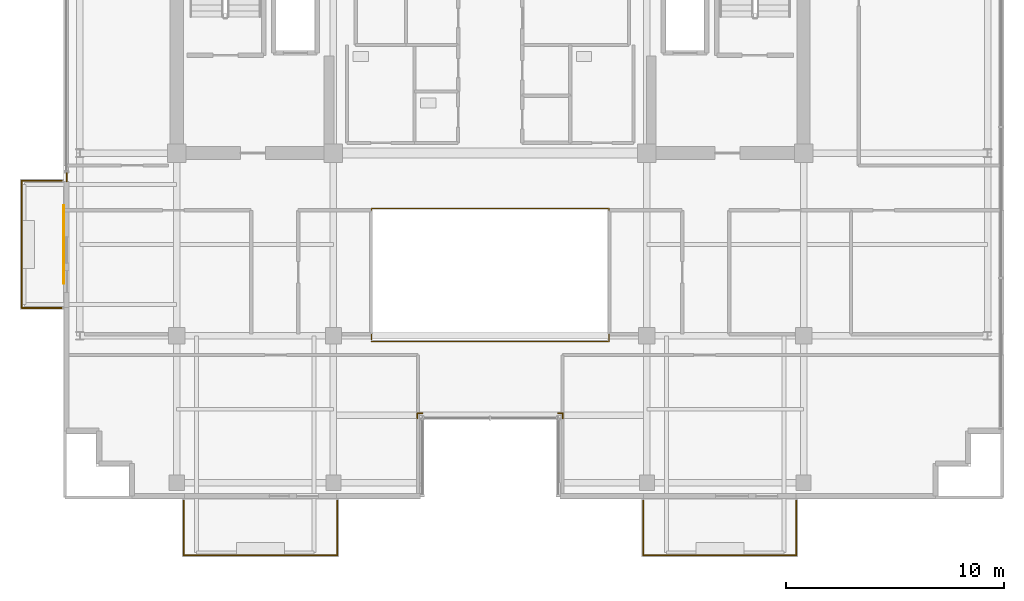
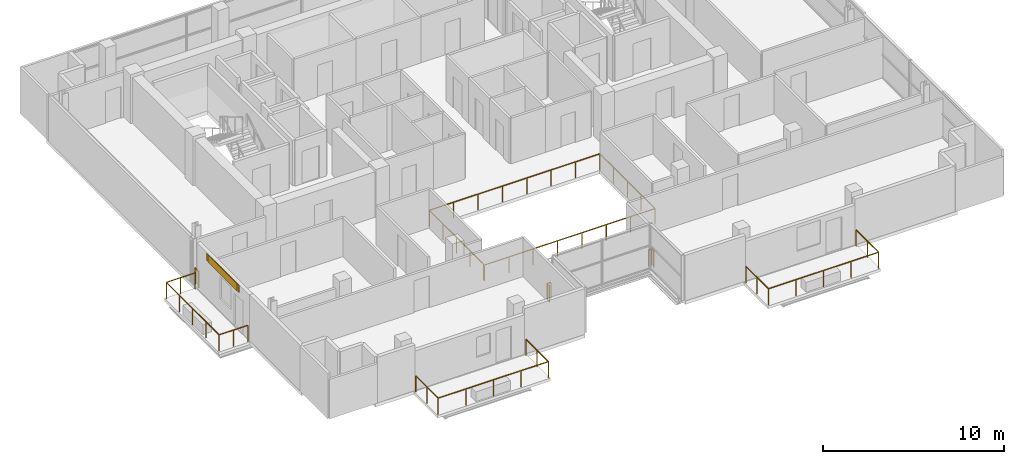
# One storey, part 19 of 21: 9 railings, 1 covering, 1 shading device.
"""IFC4 building model written with IfcOpenShell, lengths in metres."""

from ifc_helpers import new_model, si_unit, direction, frame, origin, origin_2d, place, context, subcontext, project, spatial, rectangle, extrude, source, transform, mapped, material, layer, layer_set, type_object, element, save


model = new_model("IFC4")

# Units and contexts
model_context = context("Model", 3, precision=1e-05, world=origin(), true_north=direction((0.0, 1.0)))
body_context = subcontext(model_context, "Body", "Model", "MODEL_VIEW")
ifc_project = project(units=[si_unit("LENGTHUNIT", "METRE"), si_unit("AREAUNIT", "SQUARE_METRE"), si_unit("VOLUMEUNIT", "CUBIC_METRE"), si_unit("PLANEANGLEUNIT", "RADIAN"), si_unit("MASSUNIT", "GRAM", prefix="KILO")], contexts=[model_context])

# Site, building, storey
site_placement = place(None, origin())
site = spatial("IfcSite", under=ifc_project, at=site_placement, CompositionType="ELEMENT")
building_placement = place(site_placement, origin())
building = spatial("IfcBuilding", under=site, at=building_placement, Name="Zarnakvel Exchange Tower", CompositionType="ELEMENT")
storey_placement = place(building_placement, frame((0.0, 0.0, 248.5)))
storey = spatial("IfcBuildingStorey", under=building, at=storey_placement, Name="L70", CompositionType="ELEMENT", Elevation=248.5)

# Railings
ifc_material_1 = material(Name="Architectural Bronze Anodised Aluminium", Category="aluminium")
railing_type_1 = type_object("IfcRailingType", Name="GR-02", PredefinedType="GUARDRAIL", material=ifc_material_1)
railing_1_placement = place(storey_placement, frame((-14.070068359375, -17.179931640625, -0.034912109375)))
element("IfcRailing", 1, at=railing_1_placement, inside=storey, type_object=railing_type_1, Name="L70 Balcony Guardrail BAL-L70-SW", PredefinedType="GUARDRAIL", context=body_context, shape_type="SweptSolid", body=[
    extrude(rectangle(XDim=0.048095703125, YDim=0.048095703125, at=origin_2d()), frame((0.0, 0.0, 1.09619140625), z_axis=(0.0, -1.0, 0.0), x_axis=(1.0, 0.0, 0.0)), (0.0, 0.0, 1.0), 2.489990234375),
    extrude(rectangle(XDim=0.048095703125, YDim=0.048095703125, at=origin_2d()), frame((0.0, -2.489990234375, 1.09619140625), z_axis=(1.0, 0.0, 0.0), x_axis=(0.0, 1.0, 0.0)), (0.0, 0.0, 1.0), 7.0400390625),
    extrude(rectangle(XDim=0.048095703125, YDim=0.048095703125, at=origin_2d()), frame((7.0400390625, -2.489990234375, 1.09619140625), z_axis=(0.0, 1.0, 0.0), x_axis=(-1.0, 0.0, 0.0)), (0.0, 0.0, 1.0), 2.489990234375),
    extrude(rectangle(XDim=0.0419921875, YDim=0.0419921875, at=origin_2d()), origin(), (0.0, 0.0, 1.0), 1.072021484375),
    extrude(rectangle(XDim=0.0419921875, YDim=0.0419921875, at=origin_2d()), frame((0.0, -1.2451171875, 0.0)), (0.0, 0.0, 1.0), 1.072021484375),
    extrude(rectangle(XDim=0.0419921875, YDim=0.0419921875, at=origin_2d()), frame((0.0, -2.489990234375, 0.0)), (0.0, 0.0, 1.0), 1.072021484375),
    extrude(rectangle(XDim=0.0419921875, YDim=0.0419921875, at=origin_2d()), frame((1.760009765625, -2.489990234375, 0.0)), (0.0, 0.0, 1.0), 1.072021484375),
    extrude(rectangle(XDim=0.0419921875, YDim=0.0419921875, at=origin_2d()), frame((3.52001953125, -2.489990234375, 0.0)), (0.0, 0.0, 1.0), 1.072021484375),
    extrude(rectangle(XDim=0.0419921875, YDim=0.0419921875, at=origin_2d()), frame((5.280029296875, -2.489990234375, 0.0)), (0.0, 0.0, 1.0), 1.072021484375),
    extrude(rectangle(XDim=0.0419921875, YDim=0.0419921875, at=origin_2d()), frame((7.0400390625, -2.489990234375, 0.0)), (0.0, 0.0, 1.0), 1.072021484375),
    extrude(rectangle(XDim=0.0419921875, YDim=0.0419921875, at=origin_2d()), frame((7.0400390625, -1.2451171875, 0.0)), (0.0, 0.0, 1.0), 1.072021484375),
    extrude(rectangle(XDim=0.0419921875, YDim=0.0419921875, at=origin_2d()), frame((7.0400390625, 0.0, 0.0)), (0.0, 0.0, 1.0), 1.072021484375),
])
railing_2_placement = place(storey_placement, frame((7.030029296875, -17.179931640625, -0.034912109375)))
element("IfcRailing", 2, at=railing_2_placement, inside=storey, type_object=railing_type_1, Name="L70 Balcony Guardrail BAL-L70-SE", PredefinedType="GUARDRAIL", context=body_context, shape_type="SweptSolid", body=[
    extrude(rectangle(XDim=0.048095703125, YDim=0.048095703125, at=origin_2d()), frame((0.0, 0.0, 1.09619140625), z_axis=(0.0, -1.0, 0.0), x_axis=(1.0, 0.0, 0.0)), (0.0, 0.0, 1.0), 2.489990234375),
    extrude(rectangle(XDim=0.048095703125, YDim=0.048095703125, at=origin_2d()), frame((0.0, -2.489990234375, 1.09619140625), z_axis=(1.0, 0.0, 0.0), x_axis=(0.0, 1.0, 0.0)), (0.0, 0.0, 1.0), 7.0400390625),
    extrude(rectangle(XDim=0.048095703125, YDim=0.048095703125, at=origin_2d()), frame((7.0400390625, -2.489990234375, 1.09619140625), z_axis=(0.0, 1.0, 0.0), x_axis=(-1.0, 0.0, 0.0)), (0.0, 0.0, 1.0), 2.489990234375),
    extrude(rectangle(XDim=0.0419921875, YDim=0.0419921875, at=origin_2d()), origin(), (0.0, 0.0, 1.0), 1.072021484375),
    extrude(rectangle(XDim=0.0419921875, YDim=0.0419921875, at=origin_2d()), frame((0.0, -1.2451171875, 0.0)), (0.0, 0.0, 1.0), 1.072021484375),
    extrude(rectangle(XDim=0.0419921875, YDim=0.0419921875, at=origin_2d()), frame((0.0, -2.489990234375, 0.0)), (0.0, 0.0, 1.0), 1.072021484375),
    extrude(rectangle(XDim=0.0419921875, YDim=0.0419921875, at=origin_2d()), frame((1.760009765625, -2.489990234375, 0.0)), (0.0, 0.0, 1.0), 1.072021484375),
    extrude(rectangle(XDim=0.0419921875, YDim=0.0419921875, at=origin_2d()), frame((3.52001953125, -2.489990234375, 0.0)), (0.0, 0.0, 1.0), 1.072021484375),
    extrude(rectangle(XDim=0.0419921875, YDim=0.0419921875, at=origin_2d()), frame((5.280029296875, -2.489990234375, 0.0)), (0.0, 0.0, 1.0), 1.072021484375),
    extrude(rectangle(XDim=0.0419921875, YDim=0.0419921875, at=origin_2d()), frame((7.0400390625, -2.489990234375, 0.0)), (0.0, 0.0, 1.0), 1.072021484375),
    extrude(rectangle(XDim=0.0419921875, YDim=0.0419921875, at=origin_2d()), frame((7.0400390625, -1.2451171875, 0.0)), (0.0, 0.0, 1.0), 1.072021484375),
    extrude(rectangle(XDim=0.0419921875, YDim=0.0419921875, at=origin_2d()), frame((7.0400390625, 0.0, 0.0)), (0.0, 0.0, 1.0), 1.072021484375),
])
railing_3_placement = place(storey_placement, frame((-19.679931640625, -8.320068359375, -0.034912109375)))
element("IfcRailing", 3, at=railing_3_placement, inside=storey, type_object=railing_type_1, Name="L70 Balcony Guardrail BAL-L70-W", PredefinedType="GUARDRAIL", context=body_context, shape_type="SweptSolid", body=[
    extrude(rectangle(XDim=0.048095703125, YDim=0.048095703125, at=origin_2d()), frame((0.0, 0.0, 1.09619140625), z_axis=(-1.0, 0.0, 0.0), x_axis=(0.0, -1.0, 0.0)), (0.0, 0.0, 1.0), 1.840087890625),
    extrude(rectangle(XDim=0.048095703125, YDim=0.048095703125, at=origin_2d()), frame((-1.840087890625, 0.0, 1.09619140625), z_axis=(0.0, 1.0, 0.0), x_axis=(-1.0, 0.0, 0.0)), (0.0, 0.0, 1.0), 5.840087890625),
    extrude(rectangle(XDim=0.048095703125, YDim=0.048095703125, at=origin_2d()), frame((-1.840087890625, 5.840087890625, 1.09619140625), z_axis=(1.0, 0.0, 0.0), x_axis=(0.0, 1.0, 0.0)), (0.0, 0.0, 1.0), 1.840087890625),
    extrude(rectangle(XDim=0.0419921875, YDim=0.0419921875, at=origin_2d()), origin(), (0.0, 0.0, 1.0), 1.072021484375),
    extrude(rectangle(XDim=0.0419921875, YDim=0.0419921875, at=origin_2d()), frame((-0.919921875, 0.0, 0.0)), (0.0, 0.0, 1.0), 1.072021484375),
    extrude(rectangle(XDim=0.0419921875, YDim=0.0419921875, at=origin_2d()), frame((-1.840087890625, 0.0, 0.0)), (0.0, 0.0, 1.0), 1.072021484375),
    extrude(rectangle(XDim=0.0419921875, YDim=0.0419921875, at=origin_2d()), frame((-1.840087890625, 1.4599609375, 0.0)), (0.0, 0.0, 1.0), 1.072021484375),
    extrude(rectangle(XDim=0.0419921875, YDim=0.0419921875, at=origin_2d()), frame((-1.840087890625, 2.919921875, 0.0)), (0.0, 0.0, 1.0), 1.072021484375),
    extrude(rectangle(XDim=0.0419921875, YDim=0.0419921875, at=origin_2d()), frame((-1.840087890625, 4.380126953125, 0.0)), (0.0, 0.0, 1.0), 1.072021484375),
    extrude(rectangle(XDim=0.0419921875, YDim=0.0419921875, at=origin_2d()), frame((-1.840087890625, 5.840087890625, 0.0)), (0.0, 0.0, 1.0), 1.072021484375),
    extrude(rectangle(XDim=0.0419921875, YDim=0.0419921875, at=origin_2d()), frame((-0.919921875, 5.840087890625, 0.0)), (0.0, 0.0, 1.0), 1.072021484375),
    extrude(rectangle(XDim=0.0419921875, YDim=0.0419921875, at=origin_2d()), frame((0.0, 5.840087890625, 0.0)), (0.0, 0.0, 1.0), 1.072021484375),
])
railing_4_placement = place(storey_placement, frame((-19.4599609375, -2.5, 0.0)))
element("IfcRailing", 4, at=railing_4_placement, inside=storey, type_object=railing_type_1, Name="L70 Corner Spandrel Balustrade #2", PredefinedType="GUARDRAIL", context=body_context, shape_type="SweptSolid", body=[
    extrude(rectangle(XDim=0.048095703125, YDim=0.048095703125, at=origin_2d()), frame((0.0, 0.0, 1.09619140625), z_axis=(0.0, 1.0, 0.0), x_axis=(-1.0, 0.0, 0.0)), (0.0, 0.0, 1.0), 0.39990234375),
    extrude(rectangle(XDim=0.0419921875, YDim=0.0419921875, at=origin_2d()), origin(), (0.0, 0.0, 1.0), 1.072021484375),
    extrude(rectangle(XDim=0.0419921875, YDim=0.0419921875, at=origin_2d()), frame((0.0, 0.39990234375, 0.0)), (0.0, 0.0, 1.0), 1.072021484375),
])
railing_5_placement = place(storey_placement, frame((3.340087890625, -13.3798828125, 0.0)))
element("IfcRailing", 5, at=railing_5_placement, inside=storey, type_object=railing_type_1, Name="L70 Corner Spandrel Balustrade #17", PredefinedType="GUARDRAIL", context=body_context, shape_type="SweptSolid", body=[
    extrude(rectangle(XDim=0.048095703125, YDim=0.048095703125, at=origin_2d()), frame((0.0, 0.0, 1.09619140625), z_axis=(0.0, 1.0, 0.0), x_axis=(-1.0, 0.0, 0.0)), (0.0, 0.0, 1.0), 0.219970703125),
    extrude(rectangle(XDim=0.0419921875, YDim=0.0419921875, at=origin_2d()), origin(), (0.0, 0.0, 1.0), 1.072021484375),
    extrude(rectangle(XDim=0.0419921875, YDim=0.0419921875, at=origin_2d()), frame((0.0, 0.219970703125, 0.0)), (0.0, 0.0, 1.0), 1.072021484375),
])
for number, where, name in (
    (6, (3.340087890625, -13.159912109375, 0.0), "L70 Corner Spandrel Balustrade #18"),
    (7, (-3.1201171875, -13.159912109375, 0.0), "L70 Corner Spandrel Balustrade #19"),
):
    element("IfcRailing", number, at=place(storey_placement, frame(where)), inside=storey, type_object=railing_type_1, Name=name, PredefinedType="GUARDRAIL", context=body_context, shape_type="SweptSolid", body=[
        extrude(rectangle(XDim=0.048095703125, YDim=0.048095703125, at=origin_2d()), frame((0.0, 0.0, 1.09619140625), z_axis=(-1.0, 0.0, 0.0), x_axis=(0.0, -1.0, 0.0)), (0.0, 0.0, 1.0), 0.219970703125),
        extrude(rectangle(XDim=0.0419921875, YDim=0.0419921875, at=origin_2d()), origin(), (0.0, 0.0, 1.0), 1.072021484375),
        extrude(rectangle(XDim=0.0419921875, YDim=0.0419921875, at=origin_2d()), frame((-0.219970703125, 0.0, 0.0)), (0.0, 0.0, 1.0), 1.072021484375),
    ])
railing_6_placement = place(storey_placement, frame((-3.340087890625, -13.159912109375, 0.0)))
element("IfcRailing", 8, at=railing_6_placement, inside=storey, type_object=railing_type_1, Name="L70 Corner Spandrel Balustrade #20", PredefinedType="GUARDRAIL", context=body_context, shape_type="SweptSolid", body=[
    extrude(rectangle(XDim=0.048095703125, YDim=0.048095703125, at=origin_2d()), frame((0.0, 0.0, 1.09619140625), z_axis=(0.0, -1.0, 0.0), x_axis=(1.0, 0.0, 0.0)), (0.0, 0.0, 1.0), 0.219970703125),
    extrude(rectangle(XDim=0.0419921875, YDim=0.0419921875, at=origin_2d()), origin(), (0.0, 0.0, 1.0), 1.072021484375),
    extrude(rectangle(XDim=0.0419921875, YDim=0.0419921875, at=origin_2d()), frame((0.0, -0.219970703125, 0.0)), (0.0, 0.0, 1.0), 1.072021484375),
])
railing_type_2 = type_object("IfcRailingType", Name="GR-03", PredefinedType="GUARDRAIL", material=ifc_material_1)
railing_7_placement = place(storey_placement, frame((-5.449951171875, -9.85009765625, 0.0)))
element("IfcRailing", 9, at=railing_7_placement, inside=storey, type_object=railing_type_2, Name="L70 Atrium Void Perimeter Balustrade", PredefinedType="GUARDRAIL", context=body_context, shape_type="SweptSolid", body=[
    extrude(rectangle(XDim=0.048095703125, YDim=0.048095703125, at=origin_2d()), frame((0.0, 0.0, 1.076171875), z_axis=(1.0, 0.0, 0.0), x_axis=(0.0, 1.0, 0.0)), (0.0, 0.0, 1.0), 10.89990234375),
    extrude(rectangle(XDim=0.048095703125, YDim=0.048095703125, at=origin_2d()), frame((10.89990234375, 0.0, 1.076171875), z_axis=(0.0, 1.0, 0.0), x_axis=(-1.0, 0.0, 0.0)), (0.0, 0.0, 1.0), 6.10009765625),
    extrude(rectangle(XDim=0.048095703125, YDim=0.048095703125, at=origin_2d()), frame((10.89990234375, 6.10009765625, 1.076171875), z_axis=(-1.0, 0.0, 0.0), x_axis=(0.0, -1.0, 0.0)), (0.0, 0.0, 1.0), 10.89990234375),
    extrude(rectangle(XDim=0.048095703125, YDim=0.048095703125, at=origin_2d()), frame((0.0, 6.10009765625, 1.076171875), z_axis=(0.0, -1.0, 0.0), x_axis=(1.0, 0.0, 0.0)), (0.0, 0.0, 1.0), 6.02001953125),
    extrude(rectangle(XDim=0.0419921875, YDim=0.0419921875, at=origin_2d()), origin(), (0.0, 0.0, 1.0), 1.052001953125),
    extrude(rectangle(XDim=0.0419921875, YDim=0.0419921875, at=origin_2d()), frame((1.55712890625, 0.0, 0.0)), (0.0, 0.0, 1.0), 1.052001953125),
    extrude(rectangle(XDim=0.0419921875, YDim=0.0419921875, at=origin_2d()), frame((3.1142578125, 0.0, 0.0)), (0.0, 0.0, 1.0), 1.052001953125),
    extrude(rectangle(XDim=0.0419921875, YDim=0.0419921875, at=origin_2d()), frame((4.67138671875, 0.0, 0.0)), (0.0, 0.0, 1.0), 1.052001953125),
    extrude(rectangle(XDim=0.0419921875, YDim=0.0419921875, at=origin_2d()), frame((6.228515625, 0.0, 0.0)), (0.0, 0.0, 1.0), 1.052001953125),
    extrude(rectangle(XDim=0.0419921875, YDim=0.0419921875, at=origin_2d()), frame((7.78564453125, 0.0, 0.0)), (0.0, 0.0, 1.0), 1.052001953125),
    extrude(rectangle(XDim=0.0419921875, YDim=0.0419921875, at=origin_2d()), frame((9.3427734375, 0.0, 0.0)), (0.0, 0.0, 1.0), 1.052001953125),
    extrude(rectangle(XDim=0.0419921875, YDim=0.0419921875, at=origin_2d()), frame((10.89990234375, 0.0, 0.0)), (0.0, 0.0, 1.0), 1.052001953125),
    extrude(rectangle(XDim=0.0419921875, YDim=0.0419921875, at=origin_2d()), frame((10.89990234375, 1.52490234375, 0.0)), (0.0, 0.0, 1.0), 1.052001953125),
    extrude(rectangle(XDim=0.0419921875, YDim=0.0419921875, at=origin_2d()), frame((10.89990234375, 3.050048828125, 0.0)), (0.0, 0.0, 1.0), 1.052001953125),
    extrude(rectangle(XDim=0.0419921875, YDim=0.0419921875, at=origin_2d()), frame((10.89990234375, 4.5751953125, 0.0)), (0.0, 0.0, 1.0), 1.052001953125),
    extrude(rectangle(XDim=0.0419921875, YDim=0.0419921875, at=origin_2d()), frame((10.89990234375, 6.10009765625, 0.0)), (0.0, 0.0, 1.0), 1.052001953125),
    extrude(rectangle(XDim=0.0419921875, YDim=0.0419921875, at=origin_2d()), frame((9.3427734375, 6.10009765625, 0.0)), (0.0, 0.0, 1.0), 1.052001953125),
    extrude(rectangle(XDim=0.0419921875, YDim=0.0419921875, at=origin_2d()), frame((7.78564453125, 6.10009765625, 0.0)), (0.0, 0.0, 1.0), 1.052001953125),
    extrude(rectangle(XDim=0.0419921875, YDim=0.0419921875, at=origin_2d()), frame((6.228515625, 6.10009765625, 0.0)), (0.0, 0.0, 1.0), 1.052001953125),
    extrude(rectangle(XDim=0.0419921875, YDim=0.0419921875, at=origin_2d()), frame((4.67138671875, 6.10009765625, 0.0)), (0.0, 0.0, 1.0), 1.052001953125),
    extrude(rectangle(XDim=0.0419921875, YDim=0.0419921875, at=origin_2d()), frame((3.1142578125, 6.10009765625, 0.0)), (0.0, 0.0, 1.0), 1.052001953125),
    extrude(rectangle(XDim=0.0419921875, YDim=0.0419921875, at=origin_2d()), frame((1.55712890625, 6.10009765625, 0.0)), (0.0, 0.0, 1.0), 1.052001953125),
    extrude(rectangle(XDim=0.0419921875, YDim=0.0419921875, at=origin_2d()), frame((0.0, 6.10009765625, 0.0)), (0.0, 0.0, 1.0), 1.052001953125),
    extrude(rectangle(XDim=0.0419921875, YDim=0.0419921875, at=origin_2d()), frame((0.0, 4.59521484375, 0.0)), (0.0, 0.0, 1.0), 1.052001953125),
    extrude(rectangle(XDim=0.0419921875, YDim=0.0419921875, at=origin_2d()), frame((0.0, 3.090087890625, 0.0)), (0.0, 0.0, 1.0), 1.052001953125),
    extrude(rectangle(XDim=0.0419921875, YDim=0.0419921875, at=origin_2d()), frame((0.0, 1.5849609375, 0.0)), (0.0, 0.0, 1.0), 1.052001953125),
    extrude(rectangle(XDim=0.0419921875, YDim=0.0419921875, at=origin_2d()), frame((0.0, 0.080078125, 0.0)), (0.0, 0.0, 1.0), 1.052001953125),
])

# Shading device
ifc_material_2 = material(Name="Perforated Architectural Bronze Screen", Category="aluminium")
ifc_layer_1 = layer(ifc_material_2, 0.044921875)
ifc_layer_set_1 = layer_set([ifc_layer_1], Name="Perforated Architectural Bronze Screen")
shading_device_type = type_object("IfcShadingDeviceType", Name="SS-01", PredefinedType="JALOUSIE", material=ifc_layer_set_1)
shared_shape_1 = source(origin(), body_context, "Body", "SweptSolid", [
    extrude(rectangle(XDim=3.199951171875, YDim=0.044921875, at=origin_2d()), origin(), (0.0, 0.0, 1.0), 0.4951171875),
])
shading_device_placement = place(storey_placement, frame((-19.6005859375, -5.39990234375, 2.56005859375), z_axis=(0.0, 0.0, 1.0), x_axis=(0.0, 1.0, 0.0)))
element("IfcShadingDevice", 10, at=shading_device_placement, inside=storey, type_object=shading_device_type, Name="L70 Bronze Solar Shading Screen SS-01", PredefinedType="JALOUSIE", context=body_context, shape_type="MappedRepresentation", body=[
    mapped(shared_shape_1, transform((0.0, 0.0, 0.0), x_axis=(1.0, 0.0, 0.0), y_axis=(0.0, 1.0, 0.0), z_axis=(0.0, 0.0, 1.0), scale=1.0)),
])

# Covering
ifc_material_3 = material(Name="Glazed Turquoise Ceramic Architectural Tile", Category="ceramic")
ifc_layer_2 = layer(ifc_material_3, 0.028076171875)
ifc_layer_set_2 = layer_set([ifc_layer_2], Name="Glazed Turquoise Ceramic Architectural Tile")
covering_type = type_object("IfcCoveringType", Name="CL-01", PredefinedType="CLADDING", material=ifc_layer_set_2)
shared_shape_2 = source(origin(), body_context, "Body", "SweptSolid", [
    extrude(rectangle(XDim=3.60009765625, YDim=0.028076171875, at=origin_2d()), origin(), (0.0, 0.0, 1.0), 0.4951171875),
])
covering_placement = place(storey_placement, frame((-19.592041015625, -5.39990234375, 2.56005859375), z_axis=(0.0, 0.0, 1.0), x_axis=(0.0, 1.0, 0.0)))
element("IfcCovering", 11, at=covering_placement, inside=storey, type_object=covering_type, Name="L70 Ceramic Spandrel Tilework CL-01", PredefinedType="CLADDING", context=body_context, shape_type="MappedRepresentation", body=[
    mapped(shared_shape_2, transform((0.0, 0.0, 0.0), x_axis=(1.0, 0.0, 0.0), y_axis=(0.0, 1.0, 0.0), z_axis=(0.0, 0.0, 1.0), scale=1.0)),
])

save(model, "model.ifc")
